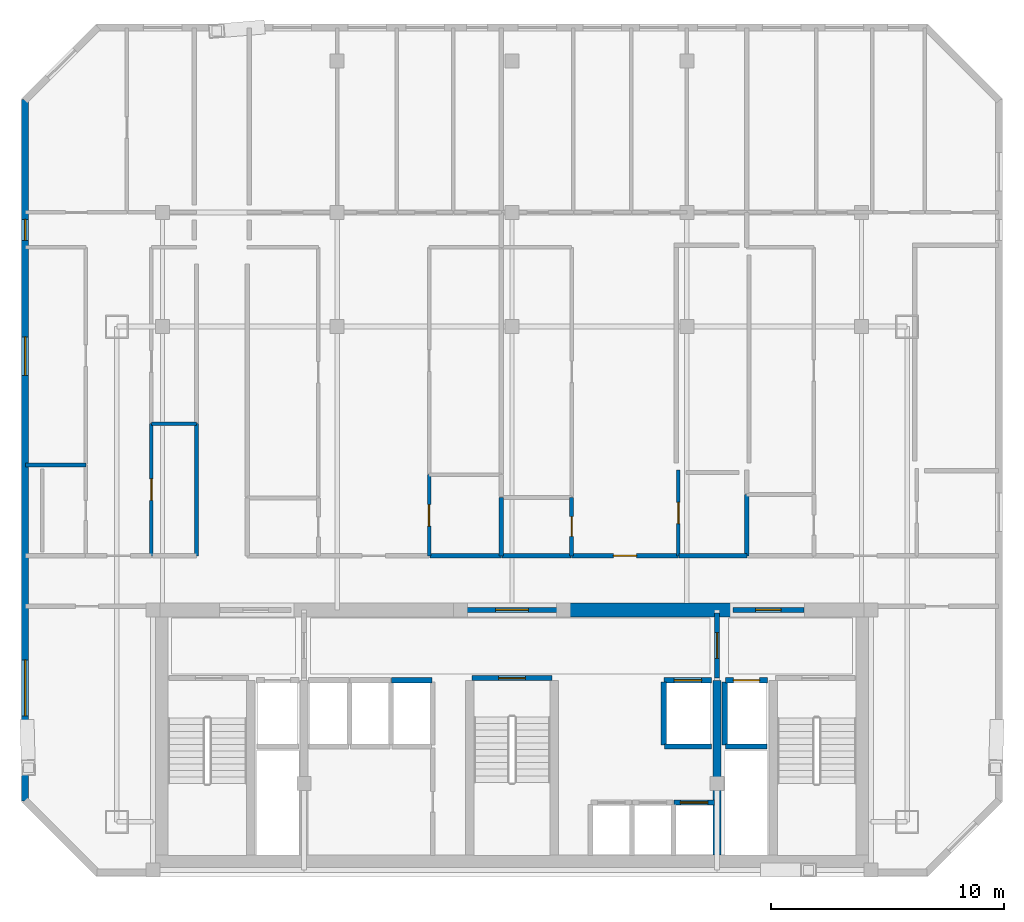
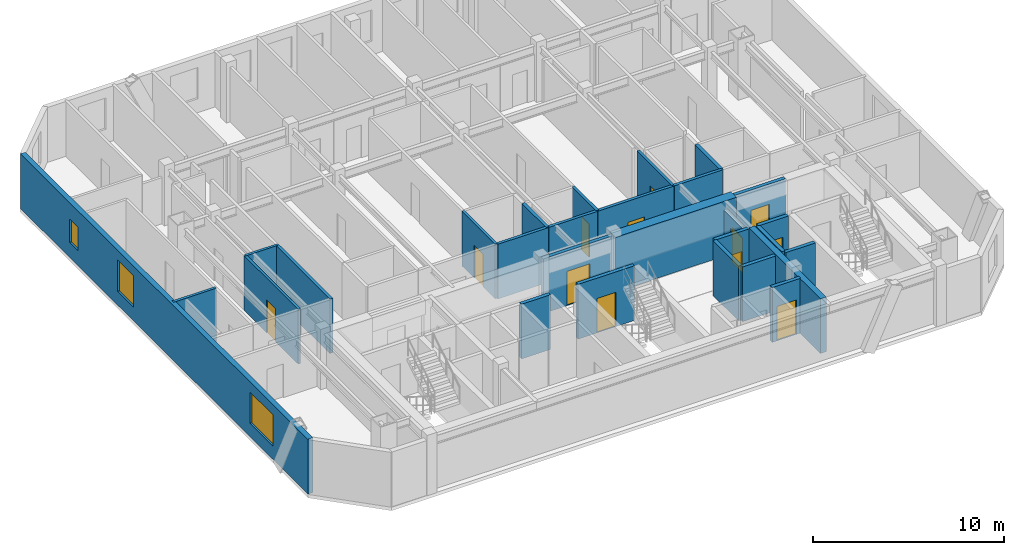
# One storey, part 3 of 7: 28 walls, 12 doors, 3 windows, 15 openings.
"""IFC4 building model written with IfcOpenShell, lengths in metres."""

import ifcopenshell
import ifcopenshell.guid

model = None  # the IFC model being written
_history = None  # IfcOwnerHistory: only IFC2X3 demands one
_inside = {}  # id of a spatial element -> (the spatial element, [elements in it])
_under = {}  # id of a project, library or spatial element -> (it, [spatial elements below it])
_declared = {}  # id of a project -> (the project, [libraries it declares])
_typed = {}  # id of a type object -> (the type object, [elements of that type])
_made_of = {}  # id of a material, layer set ... -> (it, [elements and type objects made of it])


def new_model(schema):
    """Start an empty IFC model of exactly this schema.

    Asked for "IFC4X3", IfcOpenShell would pick the latest addendum, in which some entities
    have other attributes; the version numbers below select the first issue.
    IFC2X3 requires an IfcOwnerHistory on every rooted entity: one is made here for all.
    """
    global model, _history
    if schema == "IFC4X3":
        model = ifcopenshell.file(schema_version=(4, 3, 0, 0))
    else:
        model = ifcopenshell.file(schema=schema)
    _inside.clear()
    _under.clear()
    _declared.clear()
    _typed.clear()
    _made_of.clear()
    _history = None
    if model.schema == "IFC2X3":
        org = make("IfcOrganization", Name="unknown")
        user = make(
            "IfcPersonAndOrganization",
            ThePerson=make("IfcPerson", FamilyName="unknown"),
            TheOrganization=org,
        )
        app = make(
            "IfcApplication",
            ApplicationDeveloper=org,
            Version="unknown",
            ApplicationFullName="unknown",
            ApplicationIdentifier="unknown",
        )
        _history = make(
            "IfcOwnerHistory",
            OwningUser=user,
            OwningApplication=app,
            ChangeAction="ADDED",
            CreationDate=0,
        )
    return model


def make(cls, **values):
    """One entity of the class cls with the attributes given. An attribute that is None is left unset."""
    return model.create_entity(
        cls, **{name: value for name, value in values.items() if value is not None}
    )


def rooted(cls, **values):
    """An entity with a GlobalId (a new one), such as an element, a storey or a relation."""
    return make(cls, GlobalId=ifcopenshell.guid.new(), OwnerHistory=_history, **values)


def si_unit(unit_type, name, prefix=None):
    """IfcSIUnit, for example si_unit("LENGTHUNIT", "METRE", prefix="MILLI")."""
    return make("IfcSIUnit", UnitType=unit_type, Prefix=prefix, Name=name)


def assignment(units):
    """IfcUnitAssignment: the units of a project."""
    return None if units is None else make("IfcUnitAssignment", Units=units)


def point(xyz):
    """IfcCartesianPoint."""
    return None if xyz is None else make("IfcCartesianPoint", Coordinates=xyz)


def direction(xyz):
    """IfcDirection."""
    return None if xyz is None else make("IfcDirection", DirectionRatios=xyz)


def frame(location, z_axis=None, x_axis=None):
    """IfcAxis2Placement3D, a coordinate frame: its origin and axes. An axis left out is left unset."""
    return make(
        "IfcAxis2Placement3D",
        Location=point(location),
        Axis=direction(z_axis),
        RefDirection=direction(x_axis),
    )


def frame_2d(location, x_axis=None):
    """IfcAxis2Placement2D, a coordinate frame in the plane: its origin and x axis."""
    return make(
        "IfcAxis2Placement2D", Location=point(location), RefDirection=direction(x_axis)
    )


def origin():
    """The frame at (0, 0, 0) with its axes left unset."""
    return frame((0.0, 0.0, 0.0))


def place(relative_to, where):
    """IfcLocalPlacement: puts the frame where relative to a parent placement (None: the world)."""
    return make(
        "IfcLocalPlacement", PlacementRelTo=relative_to, RelativePlacement=where
    )


def context(
    kind, dimensions, precision=None, world=None, true_north=None, identifier=None
):
    """IfcGeometricRepresentationContext, for example the 3D "Model" context."""
    return make(
        "IfcGeometricRepresentationContext",
        ContextIdentifier=identifier,
        ContextType=kind,
        CoordinateSpaceDimension=dimensions,
        Precision=precision,
        WorldCoordinateSystem=world,
        TrueNorth=true_north,
    )


def subcontext(parent, identifier, kind, view, scale=None):
    """IfcGeometricRepresentationSubContext, for example "Body" below "Model"."""
    return make(
        "IfcGeometricRepresentationSubContext",
        ContextIdentifier=identifier,
        ContextType=kind,
        ParentContext=parent,
        TargetScale=scale,
        TargetView=view,
    )


def project(units=None, contexts=None):
    """IfcProject with its units and contexts."""
    return rooted(
        "IfcProject",
        Name="project",
        RepresentationContexts=contexts,
        UnitsInContext=assignment(units),
    )


def spatial(cls, under=None, at=None, **own):
    """A site, building, storey or space (cls), placed at a placement, below another one or the project."""
    s = rooted(cls, ObjectPlacement=at, **own)
    if under is not None:
        _under.setdefault(under.id(), (under, []))[1].append(s)
    return s


def profile(cls, at=None, kind="AREA", **sizes):
    """A parametric profile (cls). Its sizes go by their IFC names, for example OverallWidth=200.0."""
    return make(cls, ProfileType=kind, Position=at, **sizes)


def rectangle(**sizes):
    """IfcRectangleProfileDef."""
    return profile("IfcRectangleProfileDef", **sizes)


def extrude(swept, where, along, depth):
    """IfcExtrudedAreaSolid: the profile swept, set in the frame where, extruded along a direction by depth."""
    return make(
        "IfcExtrudedAreaSolid",
        SweptArea=swept,
        Position=where,
        ExtrudedDirection=direction(along),
        Depth=depth,
    )


def shape(context_of_items, identifier, shape_type, items):
    """IfcShapeRepresentation: the items that make up one representation, for example the "Body"."""
    return make(
        "IfcShapeRepresentation",
        ContextOfItems=context_of_items,
        RepresentationIdentifier=identifier,
        RepresentationType=shape_type,
        Items=items,
    )


def material(Name=None, Category=None):
    """IfcMaterial."""
    return make("IfcMaterial", Name=Name, Category=Category)


def layer(
    of_material, thickness, ventilated=None, Name=None, Category=None, Priority=None
):
    """IfcMaterialLayer: one layer of a wall or slab, of a material (None: an air gap)."""
    return make(
        "IfcMaterialLayer",
        Material=of_material,
        LayerThickness=thickness,
        IsVentilated=ventilated,
        Name=Name,
        Category=Category,
        Priority=Priority,
    )


def layer_set(layers, Name=None):
    """IfcMaterialLayerSet."""
    return make("IfcMaterialLayerSet", MaterialLayers=layers, LayerSetName=Name)


def made_of(thing, what):
    """Note that an element or type object is made of a material, layer set ...; save() writes the relation."""
    if what is not None:
        _made_of.setdefault(what.id(), (what, []))[1].append(thing)
    return thing


def type_object(cls, material=None, **own):
    """A type object (cls), such as IfcWallType, which elements share."""
    return made_of(rooted(cls, **own), material)


def element(
    cls,
    number,
    at=None,
    inside=None,
    cuts=None,
    type_object=None,
    material=None,
    context=None,
    identifier="Body",
    shape_type=None,
    held_by="IfcProductDefinitionShape",
    body=None,
    shapes=None,
    **own,
):
    """One element of the class cls, such as IfcWall. Its Tag is "e" and its number.

    at: its placement. inside: the storey or other place that contains it. cuts: it is an
    opening in that element (IfcRelVoidsElement). A single representation is given by context,
    identifier, shape_type and body (its items); several are given by shapes. held_by: the class
    of the entity that holds the representations. save() writes the other relations.
    """
    e = rooted(cls, Tag="e%d" % number, ObjectPlacement=at, **own)
    if body is not None:
        shapes = [shape(context, identifier, shape_type, body)]
    if shapes is not None:
        e.Representation = make(held_by, Representations=shapes)
    if inside is not None:
        _inside.setdefault(inside.id(), (inside, []))[1].append(e)
    if cuts is not None:
        rooted(
            "IfcRelVoidsElement", RelatingBuildingElement=cuts, RelatedOpeningElement=e
        )
    if type_object is not None:
        _typed.setdefault(type_object.id(), (type_object, []))[1].append(e)
    return made_of(e, material)


def fill(opening, filler):
    """IfcRelFillsElement: the door or window that sits in an opening."""
    return rooted(
        "IfcRelFillsElement",
        RelatingOpeningElement=opening,
        RelatedBuildingElement=filler,
    )


def aggregate(whole, parts):
    """IfcRelAggregates: a whole, such as a stair, and the parts it consists of."""
    return rooted("IfcRelAggregates", RelatingObject=whole, RelatedObjects=parts)


def save(model, path):
    """Write the relations noted so far, then the file.

    IfcRelAggregates (storeys below a building ...), IfcRelContainedInSpatialStructure (elements
    in a storey), IfcRelDefinesByType, IfcRelAssociatesMaterial and IfcRelDeclares: one each for
    every whole, place, type object, material and project.
    """
    for whole, parts in _under.values():
        aggregate(whole, parts)
    for where, things in _inside.values():
        rooted(
            "IfcRelContainedInSpatialStructure",
            RelatedElements=things,
            RelatingStructure=where,
        )
    for kind, things in _typed.values():
        rooted("IfcRelDefinesByType", RelatedObjects=things, RelatingType=kind)
    for what, things in _made_of.values():
        rooted("IfcRelAssociatesMaterial", RelatedObjects=things, RelatingMaterial=what)
    for by, libraries in _declared.values():
        rooted("IfcRelDeclares", RelatingContext=by, RelatedDefinitions=libraries)
    model.write(path)


model = new_model("IFC4")

# Units and contexts
model_context = context("Model", 3, precision=1e-05, world=origin(), true_north=direction((0.0, 1.0)))
body_context = subcontext(model_context, "Body", "Model", "MODEL_VIEW")
ifc_project = project(units=[si_unit("LENGTHUNIT", "METRE"), si_unit("AREAUNIT", "SQUARE_METRE"), si_unit("VOLUMEUNIT", "CUBIC_METRE"), si_unit("PLANEANGLEUNIT", "RADIAN"), si_unit("MASSUNIT", "GRAM", prefix="KILO")], contexts=[model_context])

# Site, building, storey
site_placement = place(None, origin())
site = spatial("IfcSite", under=ifc_project, at=site_placement, CompositionType="ELEMENT")
building_placement = place(site_placement, origin())
building = spatial("IfcBuilding", under=site, at=building_placement, Name="Ventersveld Concourse Tower", CompositionType="ELEMENT")
storey_placement = place(building_placement, frame((0.0, 0.0, 242.64990234375)))
storey = spatial("IfcBuildingStorey", under=building, at=storey_placement, Name="L60", CompositionType="ELEMENT", Elevation=242.64990234375)

# Walls
ifc_material_1 = material(Name="Concrete C50/60", Category="concrete")
ifc_layer_1 = layer(ifc_material_1, 0.35009765625)
ifc_layer_set_1 = layer_set([ifc_layer_1], Name="Concrete C50/60")
wall_type_1 = type_object("IfcWallType", Name="WL-CORE-350U", PredefinedType="SHEAR", material=ifc_layer_set_1)
wall_1_placement = place(storey_placement, frame((37.550048828125, 0.919921875, 0.0), z_axis=(0.0, 0.0, 1.0), x_axis=(0.0, 1.0, 0.0)))
element("IfcWall", 1, at=wall_1_placement, inside=storey, type_object=wall_type_1, Name="L60 Core Internal Shear Web W-SVL-W", PredefinedType="SHEAR", context=body_context, shape_type="SweptSolid", body=[
    extrude(rectangle(XDim=7.5, YDim=0.35009765625, at=frame_2d((3.75, 0.0))), origin(), (0.0, 0.0, 1.0), 3.5),
])
ifc_layer_2 = layer(ifc_material_1, 0.60009765625)
ifc_layer_set_2 = layer_set([ifc_layer_2], Name="Concrete C50/60")
wall_type_2 = type_object("IfcWallType", Name="WL-CORE-600", PredefinedType="SHEAR", material=ifc_layer_set_2)
wall_2_placement = place(storey_placement, frame((30.89990234375, 11.449951171875, 0.0), z_axis=(0.0, 0.0, 1.0), x_axis=(1.0, 0.0, 0.0)))
element("IfcWall", 2, at=wall_2_placement, inside=storey, type_object=wall_type_2, Name="L60 Rear Core North Shear Wall NMR", PredefinedType="SHEAR", context=body_context, shape_type="SweptSolid", body=[
    extrude(rectangle(XDim=7.300048828125, YDim=0.60009765625, at=frame_2d((3.64990234375, 0.0))), origin(), (0.0, 0.0, 1.0), 3.5),
])
ifc_material_2 = material(Name="Fire-rated autoclaved aerated masonry blockwork", Category="masonry")
ifc_layer_3 = layer(ifc_material_2, 0.179931640625)
ifc_layer_set_3 = layer_set([ifc_layer_3], Name="Fire-rated autoclaved aerated masonry blockwork")
wall_type_3 = type_object("IfcWallType", Name="WL-CORR-180", PredefinedType="PARTITIONING", material=ifc_layer_set_3)
wall_3_placement = place(storey_placement, frame((15.2099609375, 13.764892578125, 0.0), z_axis=(0.0, 0.0, 1.0), x_axis=(0.0, 1.0, 0.0)))
element("IfcWall", 3, at=wall_3_placement, inside=storey, type_object=wall_type_3, Name="L60 Interior Partition SP-L60-COR-SP-L60-60NW-KIT", PredefinedType="PARTITIONING", context=body_context, shape_type="SweptSolid", body=[
    extrude(rectangle(XDim=5.68017578125, YDim=0.179931640625, at=frame_2d((2.840087890625, 0.0))), origin(), (0.0, 0.0, 1.0), 3.5),
])
wall_4_placement = place(storey_placement, frame((25.226806640625, 13.77001953125, 0.0), z_axis=(0.0, 0.0, 1.0), x_axis=(1.0, 0.0, 0.0)))
element("IfcWall", 4, at=wall_4_placement, inside=storey, type_object=wall_type_3, Name="L60 Interior Partition SP-L60-COR-SP-L60-60N1-KIT", PredefinedType="PARTITIONING", context=body_context, shape_type="SweptSolid", body=[
    extrude(rectangle(XDim=3.066162109375, YDim=0.179931640625, at=frame_2d((1.533203125, 0.0))), origin(), (0.0, 0.0, 1.0), 3.5),
])

# Wall, opening, door
wall_5_placement = place(storey_placement, frame((31.302001953125, 13.77001953125, 0.0), z_axis=(0.0, 0.0, 1.0), x_axis=(1.0, 0.0, 0.0)))
wall_5 = element("IfcWall", 5, at=wall_5_placement, inside=storey, type_object=wall_type_3, Name="L60 Interior Partition SP-L60-COR-SP-L60-60N2-LIV", PredefinedType="PARTITIONING", context=body_context, shape_type="SweptSolid", body=[
    extrude(rectangle(XDim=4.59375, YDim=0.179931640625, at=frame_2d((2.296875, 0.0))), origin(), (0.0, 0.0, 1.0), 3.5),
])
opening_1_placement = place(wall_5_placement, frame((1.796875, 0.0, 0.0)))
opening_1 = element("IfcOpeningElement", 6, at=opening_1_placement, cuts=wall_5, Name="Opening FD3", PredefinedType="OPENING", context=body_context, shape_type="SweptSolid", body=[
    extrude(rectangle(XDim=1.0, YDim=2.14990234375, at=frame_2d((0.5, 1.074951171875))), frame((0.0, 0.10009765625, 0.0), z_axis=(0.0, -1.0, 0.0), x_axis=(1.0, 0.0, 0.0)), (0.0, 0.0, 1.0), 0.199951171875),
])
ifc_material_3 = material(Name="Solid-core hardwood veneer timber", Category="wood")
door_type_1 = type_object("IfcDoorType", Name="DR-FLAT-100", OperationType="NOTDEFINED", PredefinedType="DOOR", material=ifc_material_3)
door_1_placement = place(opening_1_placement, origin())
door_1 = element("IfcDoor", 7, at=door_1_placement, inside=storey, type_object=door_type_1, Name="L60 Interior Door SP-L60-COR to SP-L60-60N2-LIV (FD-L60-2879)", OperationType="SINGLE_SWING_LEFT", OverallHeight=2.14990234375, OverallWidth=1.0, PredefinedType="DOOR", context=body_context, shape_type="SweptSolid", body=[
    extrude(rectangle(XDim=1.0, YDim=2.14990234375, at=frame_2d((0.5, 1.074951171875))), frame((0.0, 0.02490234375, 0.0), z_axis=(0.0, -1.0, 0.0), x_axis=(1.0, 0.0, 0.0)), (0.0, 0.0, 1.0), 0.050048828125),
])
fill(opening_1, door_1)

# Walls
wall_6_placement = place(storey_placement, frame((28.322998046875, 13.77001953125, 0.0), z_axis=(0.0, 0.0, 1.0), x_axis=(1.0, 0.0, 0.0)))
element("IfcWall", 8, at=wall_6_placement, inside=storey, type_object=wall_type_3, Name="L60 Interior Partition SP-L60-COR-SP-L60-60N2-BATH", PredefinedType="PARTITIONING", context=body_context, shape_type="SweptSolid", body=[
    extrude(rectangle(XDim=2.94921875, YDim=0.179931640625, at=frame_2d((1.474609375, 0.0))), origin(), (0.0, 0.0, 1.0), 3.5),
])
wall_7_placement = place(storey_placement, frame((35.92578125, 13.77001953125, 0.0), z_axis=(0.0, 0.0, 1.0), x_axis=(1.0, 0.0, 0.0)))
element("IfcWall", 9, at=wall_7_placement, inside=storey, type_object=wall_type_3, Name="L60 Interior Partition SP-L60-COR-SP-L60-60N2-KIT", PredefinedType="PARTITIONING", context=body_context, shape_type="SweptSolid", body=[
    extrude(rectangle(XDim=2.90283203125, YDim=0.179931640625, at=frame_2d((1.451416015625, 0.0))), origin(), (0.0, 0.0, 1.0), 3.5),
])
ifc_layer_4 = layer(ifc_material_2, 0.199951171875)
ifc_layer_set_4 = layer_set([ifc_layer_4], Name="Fire-rated autoclaved aerated masonry blockwork")
wall_type_4 = type_object("IfcWallType", Name="WL-DEMISE-200", PredefinedType="PARTITIONING", material=ifc_layer_set_4)
wall_8_placement = place(storey_placement, frame((28.2880859375, 13.764892578125, 0.0), z_axis=(0.0, 0.0, 1.0), x_axis=(0.0, 1.0, 0.0)))
element("IfcWall", 10, at=wall_8_placement, inside=storey, type_object=wall_type_4, Name="L60 Interior Partition SP-L60-60N1-KIT-SP-L60-60N2-BATH", PredefinedType="PARTITIONING", context=body_context, shape_type="SweptSolid", body=[
    extrude(rectangle(XDim=2.514892578125, YDim=0.199951171875, at=frame_2d((1.25732421875, 0.0))), origin(), (0.0, 0.0, 1.0), 3.5),
])
wall_9_placement = place(storey_placement, frame((38.823486328125, 13.764892578125, 0.0), z_axis=(0.0, 0.0, 1.0), x_axis=(0.0, 1.0, 0.0)))
element("IfcWall", 11, at=wall_9_placement, inside=storey, type_object=wall_type_4, Name="L60 Interior Partition SP-L60-60N2-KIT-SP-L60-60N3-BATH", PredefinedType="PARTITIONING", context=body_context, shape_type="SweptSolid", body=[
    extrude(rectangle(XDim=2.63623046875, YDim=0.199951171875, at=frame_2d((1.318115234375, 0.0))), origin(), (0.0, 0.0, 1.0), 3.5),
])
ifc_layer_5 = layer(ifc_material_2, 0.219970703125)
ifc_layer_set_5 = layer_set([ifc_layer_5], Name="Fire-rated autoclaved aerated masonry blockwork")
wall_type_5 = type_object("IfcWallType", Name="WL-HOIST-220", PredefinedType="SOLIDWALL", material=ifc_layer_set_5)
wall_10_placement = place(storey_placement, frame((37.919921875, 5.590087890625, 0.0), z_axis=(0.0, 0.0, 1.0), x_axis=(1.0, 0.0, 0.0)))
element("IfcWall", 12, at=wall_10_placement, inside=storey, type_object=wall_type_5, Name="L60 Lift Hoistway Back Wall FFL-02", PredefinedType="SOLIDWALL", context=body_context, shape_type="SweptSolid", body=[
    extrude(rectangle(XDim=1.780029296875, YDim=0.219970703125, at=frame_2d((0.89013671875, 0.0))), origin(), (0.0, 0.0, 1.0), 3.5),
])
wall_11_placement = place(storey_placement, frame((37.8798828125, 5.64990234375, 0.0), z_axis=(0.0, 0.0, 1.0), x_axis=(0.0, 1.0, 0.0)))
element("IfcWall", 13, at=wall_11_placement, inside=storey, type_object=wall_type_5, Name="L60 Lift Hoistway Side Wall FFL-02W", PredefinedType="SOLIDWALL", context=body_context, shape_type="SweptSolid", body=[
    extrude(rectangle(XDim=2.7001953125, YDim=0.219970703125, at=frame_2d((1.35009765625, 0.0))), origin(), (0.0, 0.0, 1.0), 3.5),
])

# Wall, opening, door
wall_12_placement = place(storey_placement, frame((37.89990234375, 8.429931640625, 0.0), z_axis=(0.0, 0.0, 1.0), x_axis=(1.0, 0.0, 0.0)))
wall_12 = element("IfcWall", 14, at=wall_12_placement, inside=storey, type_object=wall_type_5, Name="L60 Lift Hoistway Front Wall FFL-02", PredefinedType="SOLIDWALL", context=body_context, shape_type="SweptSolid", body=[
    extrude(rectangle(XDim=1.820068359375, YDim=0.219970703125, at=frame_2d((0.91015625, 0.0))), origin(), (0.0, 0.0, 1.0), 3.5),
])
opening_2_placement = place(wall_12_placement, frame((0.35009765625, 0.0, 0.0)))
opening_2 = element("IfcOpeningElement", 15, at=opening_2_placement, cuts=wall_12, Name="Opening LD1", PredefinedType="OPENING", context=body_context, shape_type="SweptSolid", body=[
    extrude(rectangle(XDim=1.1201171875, YDim=2.25, at=frame_2d((0.56005859375, 1.125))), frame((0.0, 0.1201171875, 0.0), z_axis=(0.0, -1.0, 0.0), x_axis=(1.0, 0.0, 0.0)), (0.0, 0.0, 1.0), 0.239990234375),
])
ifc_material_4 = material(Name="Brushed stainless steel 316", Category="steel")
door_type_2 = type_object("IfcDoorType", Name="LD-FF-112", OperationType="SLIDING_TO_LEFT", PredefinedType="DOOR", material=ifc_material_4)
door_2_placement = place(opening_2_placement, origin())
door_2 = element("IfcDoor", 16, at=door_2_placement, inside=storey, type_object=door_type_2, Name="L60 Lift landing door FFL-02 (LD-L60-FFL-02)", OperationType="SLIDING_TO_RIGHT", OverallHeight=2.25, OverallWidth=1.1201171875, PredefinedType="DOOR", context=body_context, shape_type="SweptSolid", body=[
    extrude(rectangle(XDim=1.1201171875, YDim=2.25, at=frame_2d((0.56005859375, 1.125))), frame((0.0, 0.02490234375, 0.0), z_axis=(0.0, -1.0, 0.0), x_axis=(1.0, 0.0, 0.0)), (0.0, 0.0, 1.0), 0.050048828125),
])
fill(opening_2, door_2)

# Walls
wall_13_placement = place(storey_placement, frame((35.300048828125, 5.590087890625, 0.0), z_axis=(0.0, 0.0, 1.0), x_axis=(1.0, 0.0, 0.0)))
element("IfcWall", 17, at=wall_13_placement, inside=storey, type_object=wall_type_5, Name="L60 Lift Hoistway Back Wall SVL-01", PredefinedType="SOLIDWALL", context=body_context, shape_type="SweptSolid", body=[
    extrude(rectangle(XDim=2.0, YDim=0.219970703125, at=frame_2d((1.0, 0.0))), origin(), (0.0, 0.0, 1.0), 3.5),
])
wall_14_placement = place(storey_placement, frame((35.260009765625, 5.64990234375, 0.0), z_axis=(0.0, 0.0, 1.0), x_axis=(0.0, 1.0, 0.0)))
element("IfcWall", 18, at=wall_14_placement, inside=storey, type_object=wall_type_5, Name="L60 Lift Hoistway Side Wall SVL-01W", PredefinedType="SOLIDWALL", context=body_context, shape_type="SweptSolid", body=[
    extrude(rectangle(XDim=2.7001953125, YDim=0.219970703125, at=frame_2d((1.35009765625, 0.0))), origin(), (0.0, 0.0, 1.0), 3.5),
])

# Wall, opening, door
wall_15_placement = place(storey_placement, frame((35.280029296875, 8.429931640625, 0.0), z_axis=(0.0, 0.0, 1.0), x_axis=(1.0, 0.0, 0.0)))
wall_15 = element("IfcWall", 19, at=wall_15_placement, inside=storey, type_object=wall_type_5, Name="L60 Lift Hoistway Front Wall SVL-01", PredefinedType="SOLIDWALL", context=body_context, shape_type="SweptSolid", body=[
    extrude(rectangle(XDim=2.0400390625, YDim=0.219970703125, at=frame_2d((1.02001953125, 0.0))), origin(), (0.0, 0.0, 1.0), 3.5),
])
opening_3_placement = place(wall_15_placement, frame((0.429931640625, 0.0, 0.0)))
opening_3 = element("IfcOpeningElement", 20, at=opening_3_placement, cuts=wall_15, Name="Opening LD2", PredefinedType="OPENING", context=body_context, shape_type="SweptSolid", body=[
    extrude(rectangle(XDim=1.179931640625, YDim=2.199951171875, at=frame_2d((0.58984375, 1.10009765625))), frame((0.0, 0.1201171875, 0.0), z_axis=(0.0, -1.0, 0.0), x_axis=(1.0, 0.0, 0.0)), (0.0, 0.0, 1.0), 0.239990234375),
])
door_type_3 = type_object("IfcDoorType", Name="LD-PAX-118", OperationType="SLIDING_TO_LEFT", PredefinedType="DOOR", material=ifc_material_4)
door_3_placement = place(opening_3_placement, origin())
door_3 = element("IfcDoor", 21, at=door_3_placement, inside=storey, type_object=door_type_3, Name="L60 Lift landing door SVL-01 (LD-L60-SVL-01)", OperationType="SLIDING_TO_LEFT", OverallHeight=2.199951171875, OverallWidth=1.179931640625, PredefinedType="DOOR", context=body_context, shape_type="SweptSolid", body=[
    extrude(rectangle(XDim=1.179931640625, YDim=2.199951171875, at=frame_2d((0.58984375, 1.10009765625))), frame((0.0, 0.02490234375, 0.0), z_axis=(0.0, -1.0, 0.0), x_axis=(1.0, 0.0, 0.0)), (0.0, 0.0, 1.0), 0.050048828125),
])
fill(opening_3, door_3)

wall_16_placement = place(storey_placement, frame((35.699951171875, 3.179931640625, 0.0), z_axis=(0.0, 0.0, 1.0), x_axis=(1.0, 0.0, 0.0)))
wall_16 = element("IfcWall", 22, at=wall_16_placement, inside=storey, type_object=wall_type_5, Name="L60 Lift Hoistway Front Wall PM-03", PredefinedType="SOLIDWALL", context=body_context, shape_type="SweptSolid", body=[
    extrude(rectangle(XDim=1.739990234375, YDim=0.219970703125, at=frame_2d((0.8701171875, 0.0))), origin(), (0.0, 0.0, 1.0), 3.5),
])
opening_4_placement = place(wall_16_placement, frame((0.280029296875, 0.0, 0.0)))
opening_4 = element("IfcOpeningElement", 23, at=opening_4_placement, cuts=wall_16, Name="Opening LD2", PredefinedType="OPENING", context=body_context, shape_type="SweptSolid", body=[
    extrude(rectangle(XDim=1.179931640625, YDim=2.199951171875, at=frame_2d((0.58984375, 1.10009765625))), frame((0.0, 0.1201171875, 0.0), z_axis=(0.0, -1.0, 0.0), x_axis=(1.0, 0.0, 0.0)), (0.0, 0.0, 1.0), 0.239990234375),
])
door_4_placement = place(opening_4_placement, origin())
door_4 = element("IfcDoor", 24, at=door_4_placement, inside=storey, type_object=door_type_3, Name="L60 Lift landing door PM-03 (LD-L60-PM-03)", OperationType="SLIDING_TO_RIGHT", OverallHeight=2.199951171875, OverallWidth=1.179931640625, PredefinedType="DOOR", context=body_context, shape_type="SweptSolid", body=[
    extrude(rectangle(XDim=1.179931640625, YDim=2.199951171875, at=frame_2d((0.58984375, 1.10009765625))), frame((0.0, 0.02490234375, 0.0), z_axis=(0.0, -1.0, 0.0), x_axis=(1.0, 0.0, 0.0)), (0.0, 0.0, 1.0), 0.050048828125),
])
fill(opening_4, door_4)

# Wall
wall_17_placement = place(storey_placement, frame((23.580078125, 8.429931640625, 0.0), z_axis=(0.0, 0.0, 1.0), x_axis=(1.0, 0.0, 0.0)))
element("IfcWall", 25, at=wall_17_placement, inside=storey, type_object=wall_type_5, Name="L60 Lift Hoistway Front Wall PH-03", PredefinedType="SOLIDWALL", context=body_context, shape_type="SweptSolid", body=[
    extrude(rectangle(XDim=1.739990234375, YDim=0.219970703125, at=frame_2d((0.8701171875, 0.0))), origin(), (0.0, 0.0, 1.0), 3.5),
])

# Wall, opening, door
wall_18_placement = place(storey_placement, frame((27.0400390625, 8.52001953125, 0.0), z_axis=(0.0, 0.0, 1.0), x_axis=(1.0, 0.0, 0.0)))
wall_18 = element("IfcWall", 26, at=wall_18_placement, inside=storey, type_object=wall_type_5, Name="L60 Escape Stair ST03 Fire Wall", PredefinedType="SOLIDWALL", context=body_context, shape_type="SweptSolid", body=[
    extrude(rectangle(XDim=3.419921875, YDim=0.219970703125, at=frame_2d((1.7099609375, 0.0))), origin(), (0.0, 0.0, 1.0), 3.5),
])
opening_5_placement = place(wall_18_placement, frame((1.135009765625, 0.0, 0.0)))
opening_5 = element("IfcOpeningElement", 27, at=opening_5_placement, cuts=wall_18, Name="Opening FD1", PredefinedType="OPENING", context=body_context, shape_type="SweptSolid", body=[
    extrude(rectangle(XDim=1.14990234375, YDim=2.199951171875, at=frame_2d((0.574951171875, 1.10009765625))), frame((0.0, 0.1201171875, 0.0), z_axis=(0.0, -1.0, 0.0), x_axis=(1.0, 0.0, 0.0)), (0.0, 0.0, 1.0), 0.239990234375),
])
ifc_material_5 = material(Name="Galvanised painted steel", Category="steel")
door_type_4 = type_object("IfcDoorType", Name="DR-STAIR-115", OperationType="NOTDEFINED", PredefinedType="DOOR", material=ifc_material_5)
door_5_placement = place(opening_5_placement, origin())
door_5 = element("IfcDoor", 28, at=door_5_placement, inside=storey, type_object=door_type_4, Name="L60 Escape Stair Door ST03 (SD-L60-2868)", OperationType="SINGLE_SWING_LEFT", OverallHeight=2.199951171875, OverallWidth=1.14990234375, PredefinedType="DOOR", context=body_context, shape_type="SweptSolid", body=[
    extrude(rectangle(XDim=1.14990234375, YDim=2.199951171875, at=frame_2d((0.574951171875, 1.10009765625))), frame((0.0, 0.02490234375, 0.0), z_axis=(0.0, -1.0, 0.0), x_axis=(1.0, 0.0, 0.0)), (0.0, 0.0, 1.0), 0.050048828125),
])
fill(opening_5, door_5)

wall_19_placement = place(storey_placement, frame((37.550048828125, 8.52001953125, 0.0), z_axis=(0.0, 0.0, 1.0), x_axis=(0.0, 1.0, 0.0)))
wall_19 = element("IfcWall", 29, at=wall_19_placement, inside=storey, type_object=wall_type_5, Name="L60 Firefighting Lobby Smoke-Stop Wall FFLE-SEP", PredefinedType="SOLIDWALL", context=body_context, shape_type="SweptSolid", body=[
    extrude(rectangle(XDim=2.800048828125, YDim=0.219970703125, at=frame_2d((1.39990234375, 0.0))), origin(), (0.0, 0.0, 1.0), 2.95556640625),
])
opening_6_placement = place(wall_19_placement, frame((0.85009765625, 0.0, 0.0)))
opening_6 = element("IfcOpeningElement", 30, at=opening_6_placement, cuts=wall_19, Name="Opening FD2", PredefinedType="OPENING", context=body_context, shape_type="SweptSolid", body=[
    extrude(rectangle(XDim=1.10009765625, YDim=2.199951171875, at=frame_2d((0.550048828125, 1.10009765625))), frame((0.0, 0.1201171875, 0.0), z_axis=(0.0, -1.0, 0.0), x_axis=(1.0, 0.0, 0.0)), (0.0, 0.0, 1.0), 0.239990234375),
])
door_type_5 = type_object("IfcDoorType", Name="DR-FFL-110", OperationType="NOTDEFINED", PredefinedType="DOOR", material=ifc_material_5)
door_6_placement = place(opening_6_placement, origin())
door_6 = element("IfcDoor", 31, at=door_6_placement, inside=storey, type_object=door_type_5, Name="L60 Firefighting Lobby Door FFLE-SEP (FD-L60-2870)", OperationType="SINGLE_SWING_RIGHT", OverallHeight=2.199951171875, OverallWidth=1.10009765625, PredefinedType="DOOR", context=body_context, shape_type="SweptSolid", body=[
    extrude(rectangle(XDim=1.10009765625, YDim=2.199951171875, at=frame_2d((0.550048828125, 1.10009765625))), frame((0.0, 0.02490234375, 0.0), z_axis=(0.0, -1.0, 0.0), x_axis=(1.0, 0.0, 0.0)), (0.0, 0.0, 1.0), 0.050048828125),
])
fill(opening_6, door_6)

wall_20_placement = place(storey_placement, frame((26.6298828125, 11.449951171875, 0.0), z_axis=(0.0, 0.0, 1.0), x_axis=(1.0, 0.0, 0.0)))
wall_20 = element("IfcWall", 32, at=wall_20_placement, inside=storey, type_object=wall_type_5, Name="L60 Core North Fire Portal PLOB-OUT", PredefinedType="SOLIDWALL", context=body_context, shape_type="SweptSolid", body=[
    extrude(rectangle(XDim=4.240234375, YDim=0.219970703125, at=frame_2d((2.1201171875, 0.0))), origin(), (0.0, 0.0, 1.0), 3.5),
])
opening_7_placement = place(wall_20_placement, frame((1.419921875, 0.0, 0.0)))
opening_7 = element("IfcOpeningElement", 33, at=opening_7_placement, cuts=wall_20, Name="Opening FD4", PredefinedType="OPENING", context=body_context, shape_type="SweptSolid", body=[
    extrude(rectangle(XDim=1.39990234375, YDim=2.199951171875, at=frame_2d((0.699951171875, 1.10009765625))), frame((0.0, 0.1201171875, 0.0), z_axis=(0.0, -1.0, 0.0), x_axis=(1.0, 0.0, 0.0)), (0.0, 0.0, 1.0), 0.239990234375),
])
door_type_6 = type_object("IfcDoorType", Name="DR-PLANT-140", OperationType="DOUBLE_DOOR_SINGLE_SWING", PredefinedType="DOOR", material=ifc_material_5)
door_7_placement = place(opening_7_placement, origin())
door_7 = element("IfcDoor", 34, at=door_7_placement, inside=storey, type_object=door_type_6, Name="L60 Core Lobby Fire Door PLOB-OUT (FD-L60-2872)", OperationType="DOUBLE_DOOR_SINGLE_SWING", OverallHeight=2.199951171875, OverallWidth=1.39990234375, PredefinedType="DOOR", context=body_context, shape_type="SweptSolid", body=[
    extrude(rectangle(XDim=1.39990234375, YDim=2.199951171875, at=frame_2d((0.699951171875, 1.10009765625))), frame((0.0, 0.02490234375, 0.0), z_axis=(0.0, -1.0, 0.0), x_axis=(1.0, 0.0, 0.0)), (0.0, 0.0, 1.0), 0.050048828125),
])
fill(opening_7, door_7)

wall_21_placement = place(storey_placement, frame((38.22998046875, 11.449951171875, 0.0), z_axis=(0.0, 0.0, 1.0), x_axis=(1.0, 0.0, 0.0)))
wall_21 = element("IfcWall", 35, at=wall_21_placement, inside=storey, type_object=wall_type_5, Name="L60 Core North Fire Portal FFLE-OUT", PredefinedType="SOLIDWALL", context=body_context, shape_type="SweptSolid", body=[
    extrude(rectangle(XDim=3.0400390625, YDim=0.219970703125, at=frame_2d((1.52001953125, 0.0))), origin(), (0.0, 0.0, 1.0), 3.5),
])
opening_8_placement = place(wall_21_placement, frame((0.969970703125, 0.0, 0.0)))
opening_8 = element("IfcOpeningElement", 36, at=opening_8_placement, cuts=wall_21, Name="Opening FD2", PredefinedType="OPENING", context=body_context, shape_type="SweptSolid", body=[
    extrude(rectangle(XDim=1.10009765625, YDim=2.199951171875, at=frame_2d((0.550048828125, 1.10009765625))), frame((0.0, 0.1201171875, 0.0), z_axis=(0.0, -1.0, 0.0), x_axis=(1.0, 0.0, 0.0)), (0.0, 0.0, 1.0), 0.239990234375),
])
door_8_placement = place(opening_8_placement, origin())
door_8 = element("IfcDoor", 37, at=door_8_placement, inside=storey, type_object=door_type_5, Name="L60 Core Lobby Fire Door FFLE-OUT (FD-L60-2873)", OperationType="SINGLE_SWING_LEFT", OverallHeight=2.199951171875, OverallWidth=1.10009765625, PredefinedType="DOOR", context=body_context, shape_type="SweptSolid", body=[
    extrude(rectangle(XDim=1.10009765625, YDim=2.199951171875, at=frame_2d((0.550048828125, 1.10009765625))), frame((0.0, 0.02490234375, 0.0), z_axis=(0.0, -1.0, 0.0), x_axis=(1.0, 0.0, 0.0)), (0.0, 0.0, 1.0), 0.050048828125),
])
fill(opening_8, door_8)

ifc_material_6 = material(Name="Autoclaved aerated masonry blockwork", Category="masonry")
ifc_layer_6 = layer(ifc_material_6, 0.14990234375)
ifc_layer_set_6 = layer_set([ifc_layer_6], Name="Autoclaved aerated masonry blockwork")
wall_type_6 = type_object("IfcWallType", Name="WL-INT-150", PredefinedType="PARTITIONING", material=ifc_layer_set_6)
wall_22_placement = place(storey_placement, frame((13.281494140625, 13.764892578125, 0.0), z_axis=(0.0, 0.0, 1.0), x_axis=(0.0, 1.0, 0.0)))
wall_22 = element("IfcWall", 38, at=wall_22_placement, inside=storey, type_object=wall_type_6, Name="L60 Interior Partition SP-L60-60NW-LIV-SP-L60-60NW-KIT", PredefinedType="PARTITIONING", context=body_context, shape_type="SweptSolid", body=[
    extrude(rectangle(XDim=5.68017578125, YDim=0.14990234375, at=frame_2d((2.840087890625, 0.0))), origin(), (0.0, 0.0, 1.0), 3.5),
])
opening_9_placement = place(wall_22_placement, frame((2.3798828125, 0.0, 0.0)))
opening_9 = element("IfcOpeningElement", 39, at=opening_9_placement, cuts=wall_22, Name="Opening ID1", PredefinedType="OPENING", context=body_context, shape_type="SweptSolid", body=[
    extrude(rectangle(XDim=0.919921875, YDim=2.10009765625, at=frame_2d((0.4599609375, 1.050048828125))), frame((0.0, 0.0849609375, 0.0), z_axis=(0.0, -1.0, 0.0), x_axis=(1.0, 0.0, 0.0)), (0.0, 0.0, 1.0), 0.169921875),
])
door_type_7 = type_object("IfcDoorType", Name="DR-ROOM-092", OperationType="NOTDEFINED", PredefinedType="DOOR", material=ifc_material_3)
door_9_placement = place(opening_9_placement, origin())
door_9 = element("IfcDoor", 40, at=door_9_placement, inside=storey, type_object=door_type_7, Name="L60 Interior Door SP-L60-60NW-LIV to SP-L60-60NW-KIT (D-L60-2883)", OperationType="SINGLE_SWING_LEFT", OverallHeight=2.10009765625, OverallWidth=0.919921875, PredefinedType="DOOR", context=body_context, shape_type="SweptSolid", body=[
    extrude(rectangle(XDim=0.919921875, YDim=2.10009765625, at=frame_2d((0.4599609375, 1.050048828125))), frame((0.0, 0.02490234375, 0.0), z_axis=(0.0, -1.0, 0.0), x_axis=(1.0, 0.0, 0.0)), (0.0, 0.0, 1.0), 0.050048828125),
])
fill(opening_9, door_9)

# Wall
wall_23_placement = place(storey_placement, frame((13.2763671875, 19.440185546875, 0.0), z_axis=(0.0, 0.0, 1.0), x_axis=(1.0, 0.0, 0.0)))
element("IfcWall", 41, at=wall_23_placement, inside=storey, type_object=wall_type_6, Name="L60 Interior Partition SP-L60-60NW-KIT-SP-L60-60NW-MEDR1", PredefinedType="PARTITIONING", context=body_context, shape_type="SweptSolid", body=[
    extrude(rectangle(XDim=1.938720703125, YDim=0.14990234375, at=frame_2d((0.96923828125, 0.0))), origin(), (0.0, 0.0, 1.0), 3.5),
])

# Wall, opening, door
wall_24_placement = place(storey_placement, frame((25.19189453125, 13.764892578125, 0.0), z_axis=(0.0, 0.0, 1.0), x_axis=(0.0, 1.0, 0.0)))
wall_24 = element("IfcWall", 42, at=wall_24_placement, inside=storey, type_object=wall_type_6, Name="L60 Interior Partition SP-L60-60N1-LIV-SP-L60-60N1-KIT", PredefinedType="PARTITIONING", context=body_context, shape_type="SweptSolid", body=[
    extrude(rectangle(XDim=3.482177734375, YDim=0.14990234375, at=frame_2d((1.7412109375, 0.0))), origin(), (0.0, 0.0, 1.0), 3.5),
])
opening_10_placement = place(wall_24_placement, frame((1.281005859375, 0.0, 0.0)))
opening_10 = element("IfcOpeningElement", 43, at=opening_10_placement, cuts=wall_24, Name="Opening ID1", PredefinedType="OPENING", context=body_context, shape_type="SweptSolid", body=[
    extrude(rectangle(XDim=0.919921875, YDim=2.10009765625, at=frame_2d((0.4599609375, 1.050048828125))), frame((0.0, 0.0849609375, 0.0), z_axis=(0.0, -1.0, 0.0), x_axis=(1.0, 0.0, 0.0)), (0.0, 0.0, 1.0), 0.169921875),
])
door_10_placement = place(opening_10_placement, origin())
door_10 = element("IfcDoor", 44, at=door_10_placement, inside=storey, type_object=door_type_7, Name="L60 Interior Door SP-L60-60N1-LIV to SP-L60-60N1-KIT (D-L60-2889)", OperationType="SINGLE_SWING_LEFT", OverallHeight=2.10009765625, OverallWidth=0.919921875, PredefinedType="DOOR", context=body_context, shape_type="SweptSolid", body=[
    extrude(rectangle(XDim=0.919921875, YDim=2.10009765625, at=frame_2d((0.4599609375, 1.050048828125))), frame((0.0, 0.02490234375, 0.0), z_axis=(0.0, -1.0, 0.0), x_axis=(1.0, 0.0, 0.0)), (0.0, 0.0, 1.0), 0.050048828125),
])
fill(opening_10, door_10)

wall_25_placement = place(storey_placement, frame((35.890625, 13.764892578125, 0.0), z_axis=(0.0, 0.0, 1.0), x_axis=(0.0, 1.0, 0.0)))
wall_25 = element("IfcWall", 45, at=wall_25_placement, inside=storey, type_object=wall_type_6, Name="L60 Interior Partition SP-L60-60N2-LIV-SP-L60-60N2-KIT", PredefinedType="PARTITIONING", context=body_context, shape_type="SweptSolid", body=[
    extrude(rectangle(XDim=3.67724609375, YDim=0.14990234375, at=frame_2d((1.838623046875, 0.0))), origin(), (0.0, 0.0, 1.0), 3.5),
])
opening_11_placement = place(wall_25_placement, frame((1.378662109375, 0.0, 0.0)))
opening_11 = element("IfcOpeningElement", 46, at=opening_11_placement, cuts=wall_25, Name="Opening ID1", PredefinedType="OPENING", context=body_context, shape_type="SweptSolid", body=[
    extrude(rectangle(XDim=0.919921875, YDim=2.10009765625, at=frame_2d((0.4599609375, 1.050048828125))), frame((0.0, 0.0849609375, 0.0), z_axis=(0.0, -1.0, 0.0), x_axis=(1.0, 0.0, 0.0)), (0.0, 0.0, 1.0), 0.169921875),
])
door_11_placement = place(opening_11_placement, origin())
door_11 = element("IfcDoor", 47, at=door_11_placement, inside=storey, type_object=door_type_7, Name="L60 Interior Door SP-L60-60N2-LIV to SP-L60-60N2-KIT (D-L60-2897)", OperationType="SINGLE_SWING_LEFT", OverallHeight=2.10009765625, OverallWidth=0.919921875, PredefinedType="DOOR", context=body_context, shape_type="SweptSolid", body=[
    extrude(rectangle(XDim=0.919921875, YDim=2.10009765625, at=frame_2d((0.4599609375, 1.050048828125))), frame((0.0, 0.02490234375, 0.0), z_axis=(0.0, -1.0, 0.0), x_axis=(1.0, 0.0, 0.0)), (0.0, 0.0, 1.0), 0.050048828125),
])
fill(opening_11, door_11)

# Wall, openings, windows
ifc_material_7 = material(Name="Precast concrete C45/55", Category="concrete")
ifc_layer_7 = layer(ifc_material_7, 0.300048828125)
ifc_layer_set_7 = layer_set([ifc_layer_7], Name="Precast concrete C45/55")
wall_type_7 = type_object("IfcWallType", Name="WL-PREC-300", PredefinedType="SOLIDWALL", material=ifc_layer_set_7)
wall_26_placement = place(storey_placement, frame((7.86328125, 33.343017578125, 0.0), z_axis=(0.0, 0.0, 1.0), x_axis=(0.0, -1.0, 0.0)))
wall_26 = element("IfcWall", 48, at=wall_26_placement, inside=storey, type_object=wall_type_7, Name="L60 Highveld Precast Facade Wall E07", PredefinedType="SOLIDWALL", context=body_context, shape_type="SweptSolid", body=[
    extrude(rectangle(XDim=30.10302734375, YDim=0.300048828125, at=frame_2d((15.051513671875, 0.0))), origin(), (0.0, 0.0, 1.0), 3.5),
])
opening_12_placement = place(wall_26_placement, frame((24.043701171875, 0.0, 0.85009765625)))
opening_12 = element("IfcOpeningElement", 49, at=opening_12_placement, cuts=wall_26, Name="Opening W5", PredefinedType="OPENING", context=body_context, shape_type="SweptSolid", body=[
    extrude(rectangle(XDim=2.39990234375, YDim=2.0, at=frame_2d((1.199951171875, 1.0))), frame((0.0, 0.16015625, 0.0), z_axis=(0.0, -1.0, 0.0), x_axis=(1.0, 0.0, 0.0)), (0.0, 0.0, 1.0), 0.320068359375),
])
opening_13_placement = place(wall_26_placement, frame((5.14306640625, 0.0, 0.949951171875)))
opening_13 = element("IfcOpeningElement", 50, at=opening_13_placement, cuts=wall_26, Name="Opening W4", PredefinedType="OPENING", context=body_context, shape_type="SweptSolid", body=[
    extrude(rectangle(XDim=0.89990234375, YDim=1.5, at=frame_2d((0.449951171875, 0.75))), frame((0.0, 0.16015625, 0.0), z_axis=(0.0, -1.0, 0.0), x_axis=(1.0, 0.0, 0.0)), (0.0, 0.0, 1.0), 0.320068359375),
])
opening_14_placement = place(wall_26_placement, frame((10.184814453125, 0.0, 0.8798828125)))
opening_14 = element("IfcOpeningElement", 51, at=opening_14_placement, cuts=wall_26, Name="Opening W6", PredefinedType="OPENING", context=body_context, shape_type="SweptSolid", body=[
    extrude(rectangle(XDim=1.64990234375, YDim=2.0, at=frame_2d((0.824951171875, 1.0))), frame((0.0, 0.16015625, 0.0), z_axis=(0.0, -1.0, 0.0), x_axis=(1.0, 0.0, 0.0)), (0.0, 0.0, 1.0), 0.320068359375),
])
ifc_material_8 = material(Name="Tempered acoustic Low-E IGU", Category="glass")
window_type_1 = type_object("IfcWindowType", Name="WIN-090x150", PartitioningType="SINGLE_PANEL", PredefinedType="WINDOW", material=ifc_material_8)
window_1_placement = place(opening_13_placement, origin())
window_1 = element("IfcWindow", 52, at=window_1_placement, inside=storey, type_object=window_type_1, Name="L60 Punched Low-E Window W-0861", OverallHeight=1.5, OverallWidth=0.89990234375, PartitioningType="SINGLE_PANEL", PredefinedType="WINDOW", context=body_context, shape_type="SweptSolid", body=[
    extrude(rectangle(XDim=0.89990234375, YDim=1.5, at=frame_2d((0.449951171875, 0.75))), frame((0.0, 0.030029296875, 0.0), z_axis=(0.0, -1.0, 0.0), x_axis=(1.0, 0.0, 0.0)), (0.0, 0.0, 1.0), 0.06005859375),
])
fill(opening_13, window_1)
window_type_2 = type_object("IfcWindowType", Name="WIN-165x200", PartitioningType="SINGLE_PANEL", PredefinedType="WINDOW", material=ifc_material_8)
window_2_placement = place(opening_14_placement, origin())
window_2 = element("IfcWindow", 53, at=window_2_placement, inside=storey, type_object=window_type_2, Name="L60 Punched Low-E Window W-0862", OverallHeight=2.0, OverallWidth=1.64990234375, PartitioningType="SINGLE_PANEL", PredefinedType="WINDOW", context=body_context, shape_type="SweptSolid", body=[
    extrude(rectangle(XDim=1.64990234375, YDim=2.0, at=frame_2d((0.824951171875, 1.0))), frame((0.0, 0.030029296875, 0.0), z_axis=(0.0, -1.0, 0.0), x_axis=(1.0, 0.0, 0.0)), (0.0, 0.0, 1.0), 0.06005859375),
])
fill(opening_14, window_2)
window_type_3 = type_object("IfcWindowType", Name="WIN-240x210", PartitioningType="SINGLE_PANEL", PredefinedType="WINDOW", material=ifc_material_8)
window_3_placement = place(opening_12_placement, origin())
window_3 = element("IfcWindow", 54, at=window_3_placement, inside=storey, type_object=window_type_3, Name="L60 Punched Low-E Window W-0859", OverallHeight=2.0, OverallWidth=2.39990234375, PartitioningType="SINGLE_PANEL", PredefinedType="WINDOW", context=body_context, shape_type="SweptSolid", body=[
    extrude(rectangle(XDim=2.39990234375, YDim=2.0, at=frame_2d((1.199951171875, 1.0))), frame((0.0, 0.030029296875, 0.0), z_axis=(0.0, -1.0, 0.0), x_axis=(1.0, 0.0, 0.0)), (0.0, 0.0, 1.0), 0.06005859375),
])
fill(opening_12, window_3)

# Wall
ifc_layer_8 = layer(ifc_material_6, 0.1650390625)
ifc_layer_set_8 = layer_set([ifc_layer_8], Name="Autoclaved aerated masonry blockwork")
wall_type_8 = type_object("IfcWallType", Name="WL-WET-165", PredefinedType="PLUMBINGWALL", material=ifc_layer_set_8)
wall_27_placement = place(storey_placement, frame((7.8857421875, 17.66650390625, 0.0), z_axis=(0.0, 0.0, 1.0), x_axis=(1.0, 0.0, 0.0)))
element("IfcWall", 55, at=wall_27_placement, inside=storey, type_object=wall_type_8, Name="L60 Interior Partition SP-L60-60NW-BATH-SP-L60-60NW-OFFL0", PredefinedType="PLUMBINGWALL", context=body_context, shape_type="SweptSolid", body=[
    extrude(rectangle(XDim=2.578369140625, YDim=0.1650390625, at=frame_2d((1.2890625, 0.0))), origin(), (0.0, 0.0, 1.0), 3.5),
])

# Wall, opening, door
wall_28_placement = place(storey_placement, frame((31.30712890625, 13.764892578125, 0.0), z_axis=(0.0, 0.0, 1.0), x_axis=(0.0, 1.0, 0.0)))
wall_28 = element("IfcWall", 56, at=wall_28_placement, inside=storey, type_object=wall_type_8, Name="L60 Interior Partition SP-L60-60N2-LIV-SP-L60-60N2-BATH", PredefinedType="PLUMBINGWALL", context=body_context, shape_type="SweptSolid", body=[
    extrude(rectangle(XDim=2.514892578125, YDim=0.1650390625, at=frame_2d((1.25732421875, 0.0))), origin(), (0.0, 0.0, 1.0), 3.5),
])
opening_15_placement = place(wall_28_placement, frame((0.832275390625, 0.0, 0.0)))
opening_15 = element("IfcOpeningElement", 57, at=opening_15_placement, cuts=wall_28, Name="Opening ID2", PredefinedType="OPENING", context=body_context, shape_type="SweptSolid", body=[
    extrude(rectangle(XDim=0.85009765625, YDim=2.10009765625, at=frame_2d((0.425048828125, 1.050048828125))), frame((0.0, 0.092529296875, 0.0), z_axis=(0.0, -1.0, 0.0), x_axis=(1.0, 0.0, 0.0)), (0.0, 0.0, 1.0), 0.18505859375),
])
door_type_8 = type_object("IfcDoorType", Name="DR-BATH-085", OperationType="NOTDEFINED", PredefinedType="DOOR", material=ifc_material_3)
door_12_placement = place(opening_15_placement, origin())
door_12 = element("IfcDoor", 58, at=door_12_placement, inside=storey, type_object=door_type_8, Name="L60 Interior Door SP-L60-60N2-LIV to SP-L60-60N2-BATH (D-L60-2895)", OperationType="SINGLE_SWING_LEFT", OverallHeight=2.10009765625, OverallWidth=0.85009765625, PredefinedType="DOOR", context=body_context, shape_type="SweptSolid", body=[
    extrude(rectangle(XDim=0.85009765625, YDim=2.10009765625, at=frame_2d((0.425048828125, 1.050048828125))), frame((0.0, 0.02490234375, 0.0), z_axis=(0.0, -1.0, 0.0), x_axis=(1.0, 0.0, 0.0)), (0.0, 0.0, 1.0), 0.050048828125),
])
fill(opening_15, door_12)

save(model, "model.ifc")
